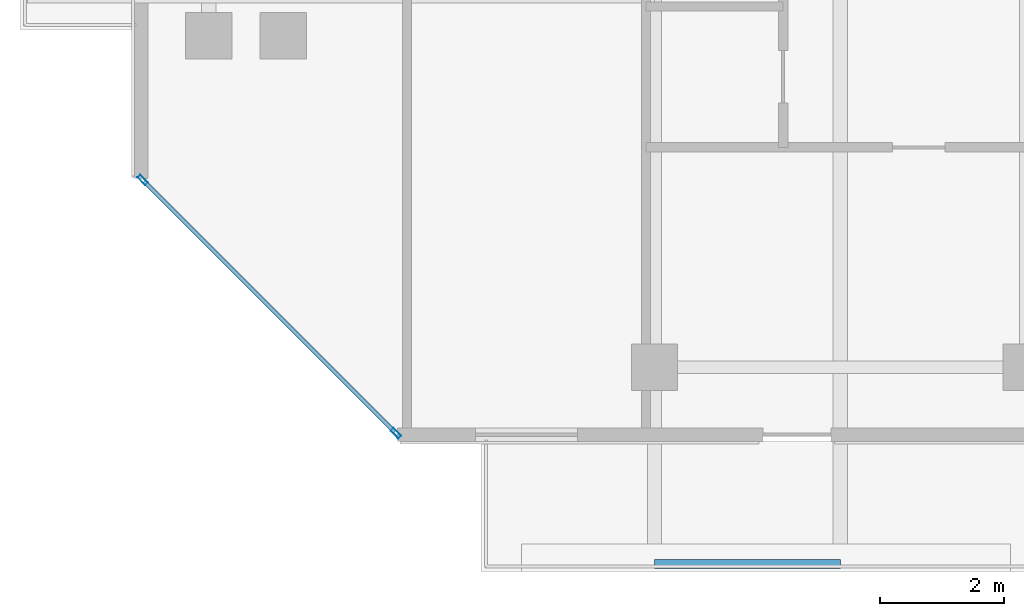
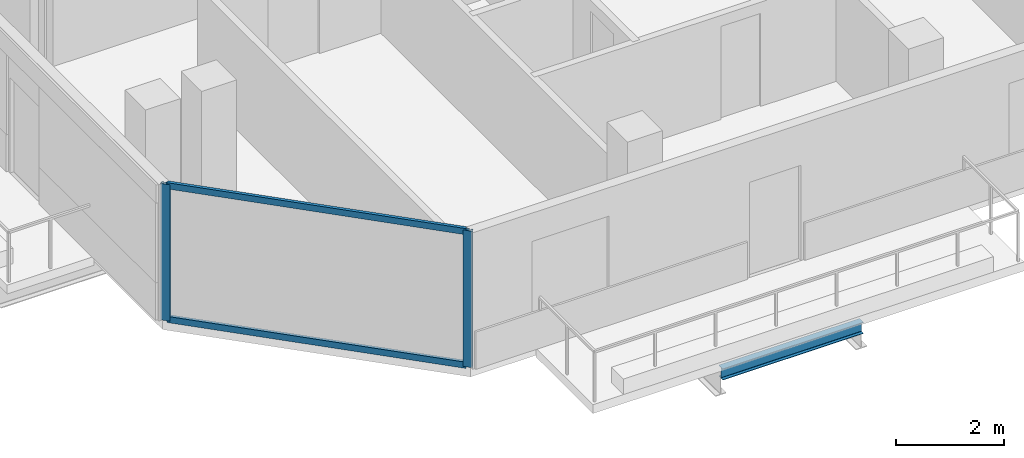
# One storey, part 2 of 28: 4 members, 1 beam, 1 element without a shape of its own.
"""IFC4 building model written with IfcOpenShell, lengths in metres."""

from ifc_helpers import new_model, si_unit, direction, frame, origin, origin_2d, place, context, subcontext, project, spatial, hollow_rectangle, i_section, extrude, material, layer, layer_set, material_profile, profile_set, type_object, element, aggregate, save


model = new_model("IFC4")

# Units and contexts
model_context = context("Model", 3, precision=1e-05, world=origin(), true_north=direction((0.0, 1.0)))
body_context = subcontext(model_context, "Body", "Model", "MODEL_VIEW")
ifc_project = project(units=[si_unit("LENGTHUNIT", "METRE"), si_unit("AREAUNIT", "SQUARE_METRE"), si_unit("VOLUMEUNIT", "CUBIC_METRE"), si_unit("PLANEANGLEUNIT", "RADIAN"), si_unit("MASSUNIT", "GRAM", prefix="KILO")], contexts=[model_context])

# Site, building, storey
site_placement = place(None, origin())
site = spatial("IfcSite", under=ifc_project, at=site_placement, CompositionType="ELEMENT")
building_placement = place(site_placement, origin())
building = spatial("IfcBuilding", under=site, at=building_placement, Name="Tanjung Sevakor Pilgrim Tower", CompositionType="ELEMENT")
storey_placement = place(building_placement, frame((0.0, 0.0, 222.75)))
storey = spatial("IfcBuildingStorey", under=building, at=storey_placement, Name="L62", CompositionType="ELEMENT", Elevation=222.75)

# Beam
ifc_material_1 = material(Name="Steel S355J2", Category="steel")
ifc_material_profile_1 = material_profile(ifc_material_1, i_section(OverallWidth=0.146484375, OverallDepth=0.256103515625, WebThickness=0.00634765625, FlangeThickness=0.010986328125, FilletRadius=0.007568359375, at=origin_2d()))
ifc_profile_set_1 = profile_set([ifc_material_profile_1], Name="Steel S355J2")
beam_type = type_object("IfcBeamType", Name="BM-B-J6-UB_254x146x37", PredefinedType="JOIST", material=ifc_profile_set_1)
beam_placement = place(storey_placement, frame((30.0, 10.070068359375, -0.327880859375), z_axis=(1.0, 0.0, 0.0), x_axis=(0.0, 1.0, 0.0)))
element("IfcBeam", 1, at=beam_placement, inside=storey, type_object=beam_type, Name="L62 Balcony Rim Tie MAIN-S1", PredefinedType="JOIST", context=body_context, shape_type="SweptSolid", body=[
    extrude(i_section(OverallWidth=0.146484375, OverallDepth=0.256103515625, WebThickness=0.00634765625, FlangeThickness=0.010986328125, FilletRadius=0.007568359375, at=origin_2d()), origin(), (0.0, 0.0, 1.0), 3.0),
])

# Curtain wall, members
ifc_material_2 = material(Name="Aluminium 6063-T6 and Low-E Glass", Category="aluminium")
ifc_layer = layer(ifc_material_2, 0.179931640625)
ifc_layer_set = layer_set([ifc_layer], Name="CW-SYS-CHAM")
curtain_wall_type = type_object("IfcCurtainWallType", Name="CW-SYS-CHAM", PredefinedType="NOTDEFINED", material=ifc_layer_set)
curtain_wall_placement = place(storey_placement, origin())
curtain_wall = element("IfcCurtainWall", 2, at=curtain_wall_placement, inside=storey, type_object=curtain_wall_type, Name="L62 Curtain Wall CW-CHM-L62-MAIN-15", PredefinedType="NOTDEFINED")
ifc_material_3 = material(Name="Aluminium 6063-T6", Category="aluminium")
ifc_material_profile_2 = material_profile(ifc_material_3, hollow_rectangle(XDim=0.06494140625, YDim=0.179931640625, WallThickness=0.00390625, at=origin_2d()))
ifc_profile_set_2 = profile_set([ifc_material_profile_2], Name="Aluminium 6063-T6")
member_type_1 = type_object("IfcMemberType", Name="TYPE-CWM-1", PredefinedType="MULLION", material=ifc_profile_set_2)
member_1_placement = place(storey_placement, frame((21.73291015625, 16.272705078125, 0.0), z_axis=(0.0, 0.0, 1.0), x_axis=(0.707106781187, 0.707106781187, 0.0)))
member_1 = element("IfcMember", 3, at=member_1_placement, type_object=member_type_1, Name="CW-CHM mullion 1", PredefinedType="MULLION", context=body_context, shape_type="SweptSolid", body=[
    extrude(hollow_rectangle(XDim=0.06494140625, YDim=0.179931640625, WallThickness=0.00390625, at=origin_2d()), origin(), (0.0, 0.0, 1.0), 3.080078125),
])
member_2_placement = place(storey_placement, frame((25.822509765625, 12.182861328125, 0.0), z_axis=(0.0, 0.0, 1.0), x_axis=(0.707106781187, 0.707106781187, 0.0)))
member_2 = element("IfcMember", 4, at=member_2_placement, type_object=member_type_1, Name="CW-CHM mullion 2", PredefinedType="MULLION", context=body_context, shape_type="SweptSolid", body=[
    extrude(hollow_rectangle(XDim=0.06494140625, YDim=0.179931640625, WallThickness=0.00390625, at=origin_2d()), origin(), (0.0, 0.0, 1.0), 3.080078125),
])
ifc_material_4 = material(Name="Aluminium 6063-T6", Category="aluminium")
ifc_material_profile_3 = material_profile(ifc_material_4, hollow_rectangle(XDim=0.06494140625, YDim=0.139892578125, WallThickness=0.00390625, at=origin_2d()))
ifc_profile_set_3 = profile_set([ifc_material_profile_3], Name="Aluminium 6063-T6")
member_type_2 = type_object("IfcMemberType", Name="TYPE-CWT-1", PredefinedType="USERDEFINED", material=ifc_profile_set_3)
member_3_placement = place(storey_placement, frame((21.755859375, 16.249755859375, 0.032470703125), z_axis=(0.707106781187, -0.707106781187, 0.0), x_axis=(0.707106781187, 0.707106781187, 0.0)))
member_3 = element("IfcMember", 5, at=member_3_placement, type_object=member_type_2, Name="CW-CHM transom 1.1", ObjectType="TRANSOM", PredefinedType="USERDEFINED", context=body_context, shape_type="SweptSolid", body=[
    extrude(hollow_rectangle(XDim=0.06494140625, YDim=0.139892578125, WallThickness=0.00390625, at=origin_2d()), origin(), (0.0, 0.0, 1.0), 5.71875),
])
member_4_placement = place(storey_placement, frame((21.755859375, 16.249755859375, 3.047607421875), z_axis=(0.707106781187, -0.707106781187, 0.0), x_axis=(0.707106781187, 0.707106781187, 0.0)))
member_4 = element("IfcMember", 6, at=member_4_placement, type_object=member_type_2, Name="CW-CHM transom 1.2", ObjectType="TRANSOM", PredefinedType="USERDEFINED", context=body_context, shape_type="SweptSolid", body=[
    extrude(hollow_rectangle(XDim=0.06494140625, YDim=0.139892578125, WallThickness=0.00390625, at=origin_2d()), origin(), (0.0, 0.0, 1.0), 5.71875),
])
aggregate(curtain_wall, [member_1, member_2, member_3, member_4])

save(model, "model.ifc")
